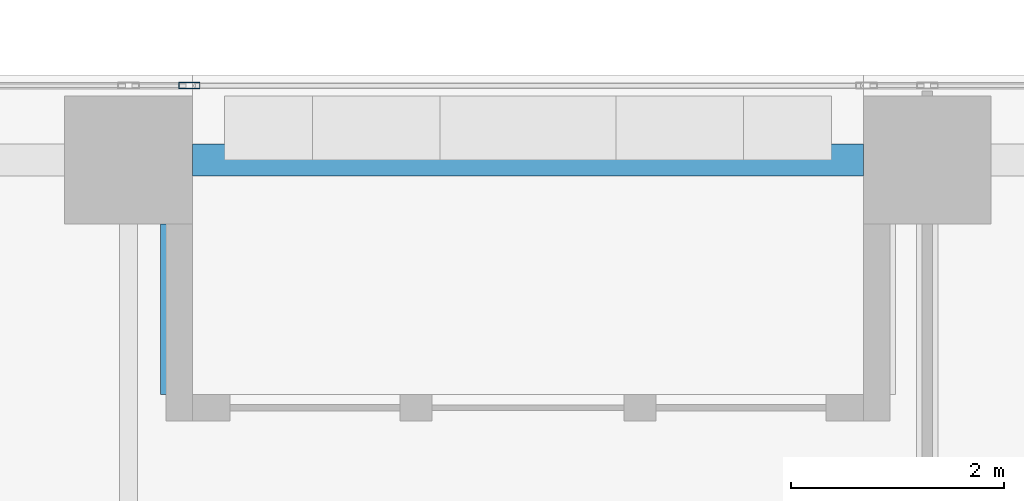
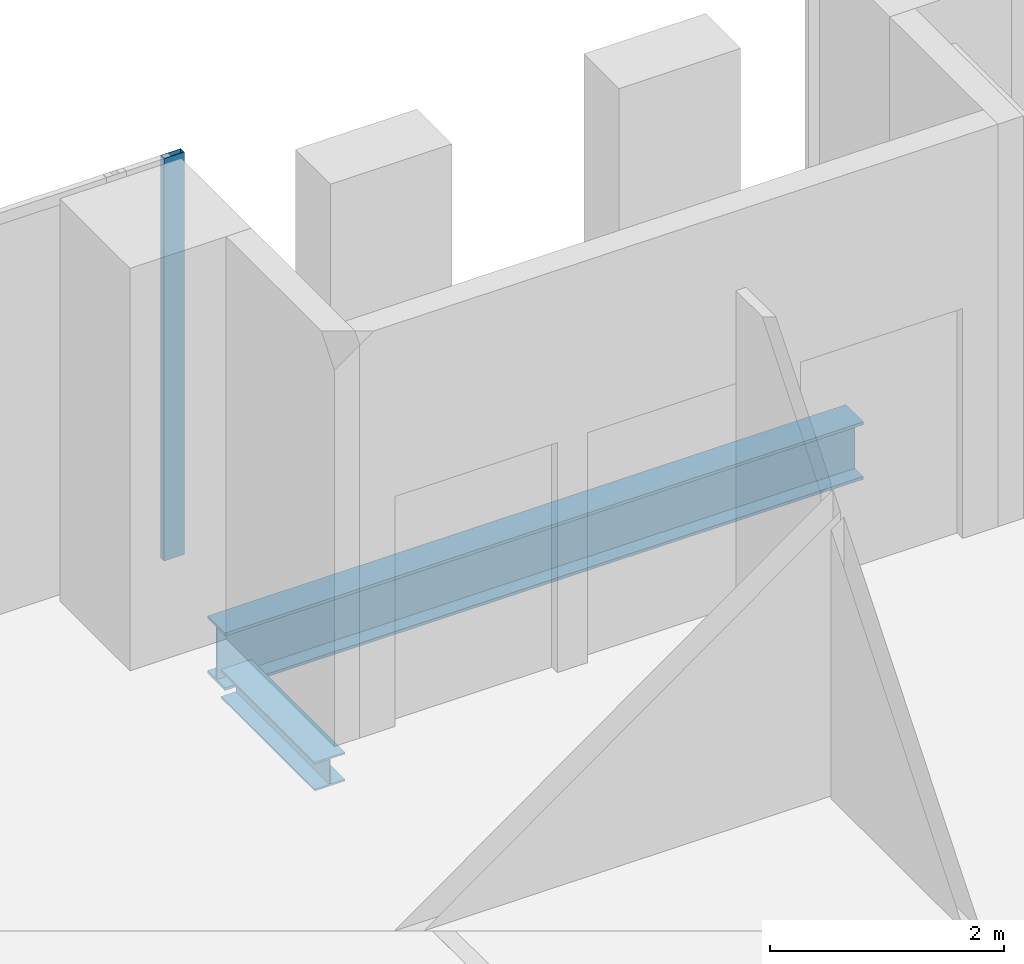
# One storey, part 16 of 33: 2 beams, 1 member, 1 element without a shape of its own.
"""IFC4 building model written with IfcOpenShell, lengths in metres."""

from ifc_helpers import new_model, si_unit, direction, frame, origin, origin_2d, place, context, subcontext, project, spatial, hollow_rectangle, i_section, extrude, source, transform, mapped, material, material_profile, profile_set, type_object, element, aggregate, save


model = new_model("IFC4")

# Units and contexts
model_context = context("Model", 3, precision=1e-05, world=origin(), true_north=direction((0.0, 1.0)))
body_context = subcontext(model_context, "Body", "Model", "MODEL_VIEW")
ifc_project = project(units=[si_unit("LENGTHUNIT", "METRE"), si_unit("AREAUNIT", "SQUARE_METRE"), si_unit("VOLUMEUNIT", "CUBIC_METRE"), si_unit("PLANEANGLEUNIT", "RADIAN"), si_unit("MASSUNIT", "GRAM", prefix="KILO")], contexts=[model_context])

# Site, building, storey
site_placement = place(None, origin())
site = spatial("IfcSite", under=ifc_project, at=site_placement, CompositionType="ELEMENT")
building_placement = place(site_placement, origin())
building = spatial("IfcBuilding", under=site, at=building_placement, Name="Khomas Fold Tower", CompositionType="ELEMENT")
storey_placement = place(building_placement, frame((0.0, 0.0, 55.5)))
storey = spatial("IfcBuildingStorey", under=building, at=storey_placement, Name="L11", CompositionType="ELEMENT", Elevation=55.5)

# Beams
ifc_material_1 = material(Name="Steel S355", Category="steel")
ifc_material_profile_1 = material_profile(ifc_material_1, i_section(OverallWidth=0.300048828125, OverallDepth=0.60009765625, WebThickness=0.015380859375, FlangeThickness=0.030029296875, at=origin_2d()), Name="HE 600 B")
ifc_profile_set_1 = profile_set([ifc_material_profile_1], Name="Steel S355")
beam_type_1 = type_object("IfcBeamType", Name="HE 600 B spandrel SB1", PredefinedType="SPANDREL", material=ifc_profile_set_1)
shared_shape_1 = source(origin(), body_context, "Body", "SweptSolid", [
    extrude(i_section(OverallWidth=0.300048828125, OverallDepth=0.60009765625, WebThickness=0.015380859375, FlangeThickness=0.030029296875, at=origin_2d()), origin(), (0.0, 0.0, 1.0), 6.2998046875),
])
beam_1_placement = place(storey_placement, frame((27.60009765625, 53.199951171875, -0.60009765625), z_axis=(1.0, 0.0, 0.0), x_axis=(0.0, 1.0, 0.0)))
element("IfcBeam", 1, at=beam_1_placement, inside=storey, type_object=beam_type_1, Name="SB1", PredefinedType="SPANDREL", context=body_context, shape_type="MappedRepresentation", body=[
    mapped(shared_shape_1, transform((0.0, 0.0, 0.0))),
])
ifc_material_2 = material(Name="Steel S355", Category="steel")
ifc_material_profile_2 = material_profile(ifc_material_2, i_section(OverallWidth=0.300048828125, OverallDepth=0.300048828125, WebThickness=0.010986328125, FlangeThickness=0.01904296875, at=origin_2d()), Name="HE 300 B")
ifc_profile_set_2 = profile_set([ifc_material_profile_2], Name="Steel S355")
beam_type_2 = type_object("IfcBeamType", Name="HE 300 B beam BB1", PredefinedType="BEAM", material=ifc_profile_set_2)
shared_shape_2 = source(origin(), body_context, "Body", "SweptSolid", [
    extrude(i_section(OverallWidth=0.300048828125, OverallDepth=0.300048828125, WebThickness=0.010986328125, FlangeThickness=0.01904296875, at=origin_2d()), origin(), (0.0, 0.0, 1.0), 1.60009765625),
])
beam_2_placement = place(storey_placement, frame((27.449951171875, 51.0, -0.449951171875), z_axis=(0.0, 1.0, 0.0), x_axis=(-1.0, 0.0, 0.0)))
element("IfcBeam", 2, at=beam_2_placement, inside=storey, type_object=beam_type_2, Name="BB1", PredefinedType="BEAM", context=body_context, shape_type="MappedRepresentation", body=[
    mapped(shared_shape_2, transform((0.0, 0.0, 0.0))),
])

# Curtain wall, member
ifc_material_3 = material(Name="Aluminium framed double glazing", Category="aluminium")
curtain_wall_type = type_object("IfcCurtainWallType", Name="SK-Unitised clear-glass wall, growing floors CW1", PredefinedType="NOTDEFINED", material=ifc_material_3)
curtain_wall_placement = place(storey_placement, origin())
curtain_wall = element("IfcCurtainWall", 3, at=curtain_wall_placement, inside=storey, type_object=curtain_wall_type, Name="CW1 run L11 06-1", PredefinedType="NOTDEFINED")
ifc_material_4 = material(Name="Aluminium", Category="aluminium")
ifc_material_profile_3 = material_profile(ifc_material_4, hollow_rectangle(XDim=0.06005859375, YDim=0.199951171875, WallThickness=0.00390625, at=origin_2d()), Name="SK-Unitised clear-glass wall, growing floors mullion CW1-M")
ifc_profile_set_3 = profile_set([ifc_material_profile_3], Name="Aluminium")
member_type = type_object("IfcMemberType", Name="SK-Unitised clear-glass wall, growing floors mullion CW1-M", PredefinedType="MULLION", material=ifc_profile_set_3)
shared_shape_3 = source(origin(), body_context, "Body", "SweptSolid", [
    extrude(hollow_rectangle(XDim=0.06005859375, YDim=0.199951171875, WallThickness=0.00390625, at=origin_2d()), origin(), (0.0, 0.0, 1.0), 4.199951171875),
])
member_placement = place(storey_placement, frame((27.570068359375, 53.89990234375, 0.0), z_axis=(0.0, 0.0, 1.0), x_axis=(0.0, -1.0, 0.0)))
member = element("IfcMember", 4, at=member_placement, type_object=member_type, Name="CW1 mullion 1", PredefinedType="MULLION", context=body_context, shape_type="MappedRepresentation", body=[
    mapped(shared_shape_3, transform((0.0, 0.0, 0.0))),
])
aggregate(curtain_wall, [member])

save(model, "model.ifc")
